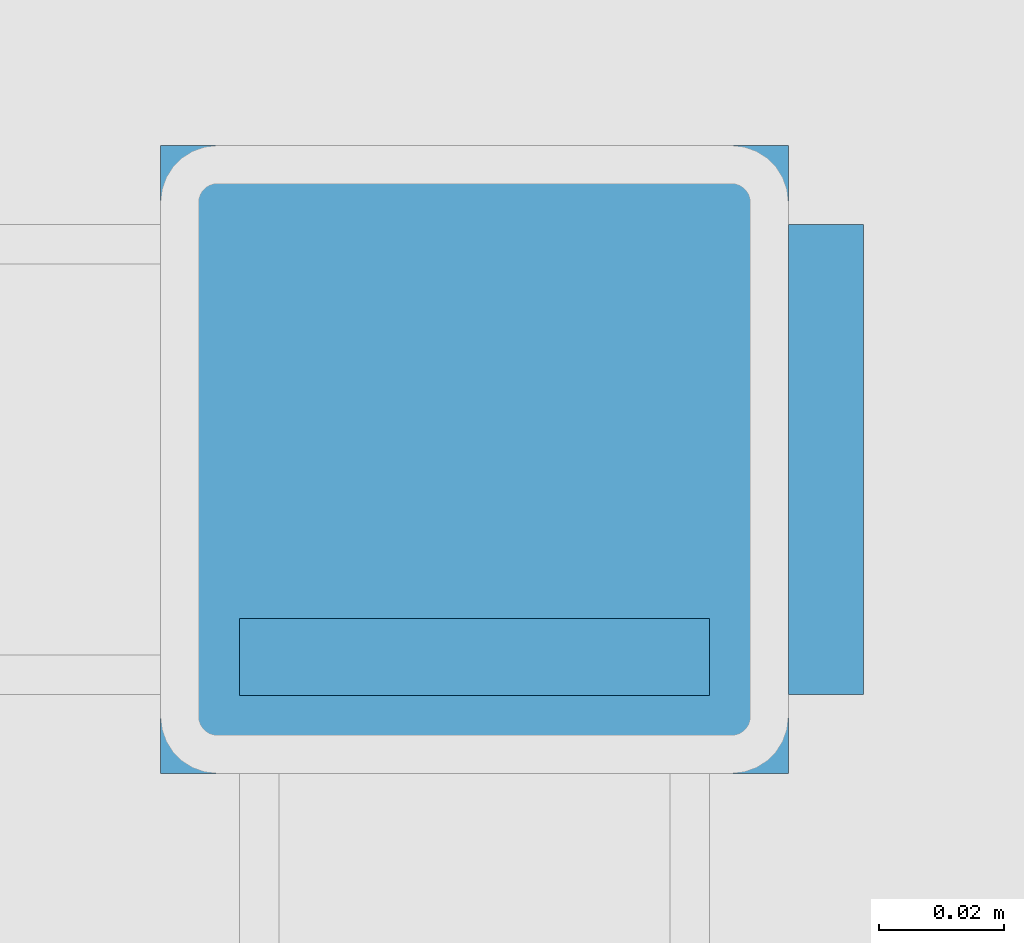
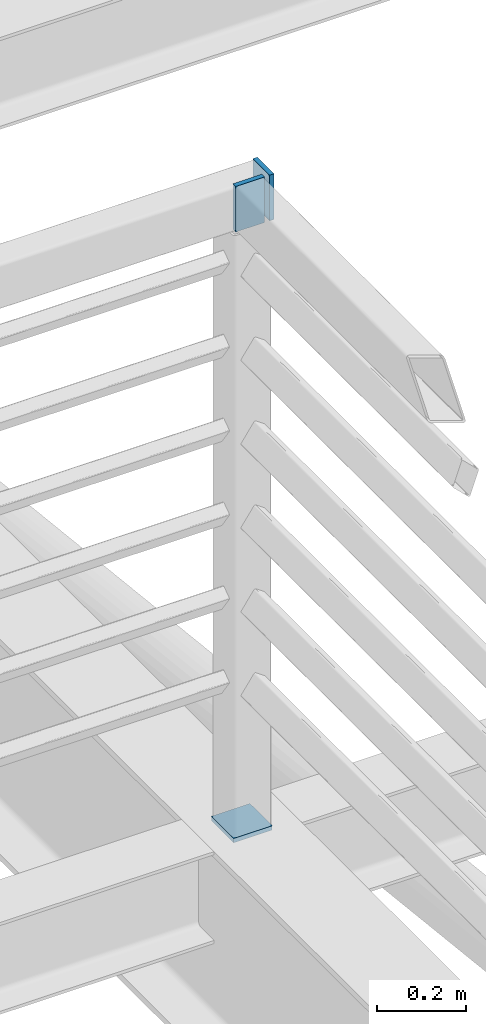
# One storey, part 48 of 57: 3 discrete accessories.
"""IFC4 building model written with IfcOpenShell, lengths in metres."""

from ifc_helpers import new_model, si_unit, direction, frame, origin, origin_2d, place, context, subcontext, project, spatial, rectangle, extrude, material, material_profile, profile_set, type_object, element, save


model = new_model("IFC4")

# Units and contexts
model_context = context("Model", 3, precision=1e-05, world=origin(), true_north=direction((0.0, 1.0)))
body_context = subcontext(model_context, "Body", "Model", "MODEL_VIEW")
ifc_project = project(units=[si_unit("LENGTHUNIT", "METRE"), si_unit("AREAUNIT", "SQUARE_METRE"), si_unit("VOLUMEUNIT", "CUBIC_METRE"), si_unit("PLANEANGLEUNIT", "RADIAN"), si_unit("MASSUNIT", "GRAM", prefix="KILO")], contexts=[model_context])

# Site, building, storey
site_placement = place(None, origin())
site = spatial("IfcSite", under=ifc_project, at=site_placement, CompositionType="ELEMENT")
building_placement = place(site_placement, origin())
building = spatial("IfcBuilding", under=site, at=building_placement, Name="Saffron Lane Theatres", CompositionType="ELEMENT")
storey_placement = place(building_placement, frame((0.0, 0.0, 28.0)))
storey = spatial("IfcBuildingStorey", under=building, at=storey_placement, Name="Upper Roof", CompositionType="ELEMENT", Elevation=28.0)

# Discrete accessories
ifc_material_1 = material(Name="Steel Grade 350", Category="steel")
ifc_material_profile_1 = material_profile(ifc_material_1, rectangle(XDim=0.10009765625, YDim=0.10009765625, at=origin_2d()))
ifc_profile_set_1 = profile_set([ifc_material_profile_1], Name="Steel Grade 350")
discrete_accessory_type_1 = type_object("IfcDiscreteAccessoryType", Name="ST-STEEL END CAP 100x100x6 SHS", PredefinedType="ANCHORPLATE", material=ifc_profile_set_1)
discrete_accessory_1_placement = place(storey_placement, frame((42.0, 48.25, 8.837890625), z_axis=(0.0, 0.0, 1.0), x_axis=(1.0, 0.0, 0.0)))
element("IfcDiscreteAccessory", 1, at=discrete_accessory_1_placement, inside=storey, type_object=discrete_accessory_type_1, Name="EC126", PredefinedType="ANCHORPLATE", context=body_context, shape_type="SweptSolid", body=[
    extrude(rectangle(XDim=0.10009765625, YDim=0.10009765625, at=origin_2d()), origin(), (0.0, 0.0, 1.0), 0.01220703125),
])
ifc_material_2 = material(Name="Steel Grade 350", Category="steel")
ifc_material_profile_2 = material_profile(ifc_material_2, rectangle(XDim=0.074951171875, YDim=0.125, at=origin_2d()))
ifc_profile_set_2 = profile_set([ifc_material_profile_2], Name="Steel Grade 350")
discrete_accessory_type_2 = type_object("IfcDiscreteAccessoryType", Name="ST-STEEL END CAP 125x75x5 RHS", PredefinedType="ANCHORPLATE", material=ifc_profile_set_2)
discrete_accessory_2_placement = place(storey_placement, frame((42.050048828125, 48.25, 10.5625), z_axis=(1.0, 0.0, 0.0), x_axis=(0.0, 1.0, 0.0)))
element("IfcDiscreteAccessory", 2, at=discrete_accessory_2_placement, inside=storey, type_object=discrete_accessory_type_2, Name="EC132", PredefinedType="ANCHORPLATE", context=body_context, shape_type="SweptSolid", body=[
    extrude(rectangle(XDim=0.074951171875, YDim=0.125, at=origin_2d()), origin(), (0.0, 0.0, 1.0), 0.011962890625),
])
discrete_accessory_3_placement = place(storey_placement, frame((42.0, 48.21240234375, 10.5625), z_axis=(0.0, 1.0, 0.0), x_axis=(-1.0, 0.0, 0.0)))
element("IfcDiscreteAccessory", 3, at=discrete_accessory_3_placement, inside=storey, type_object=discrete_accessory_type_2, Name="EC140", PredefinedType="ANCHORPLATE", context=body_context, shape_type="SweptSolid", body=[
    extrude(rectangle(XDim=0.074951171875, YDim=0.125, at=origin_2d()), origin(), (0.0, 0.0, 1.0), 0.01220703125),
])

save(model, "model.ifc")
